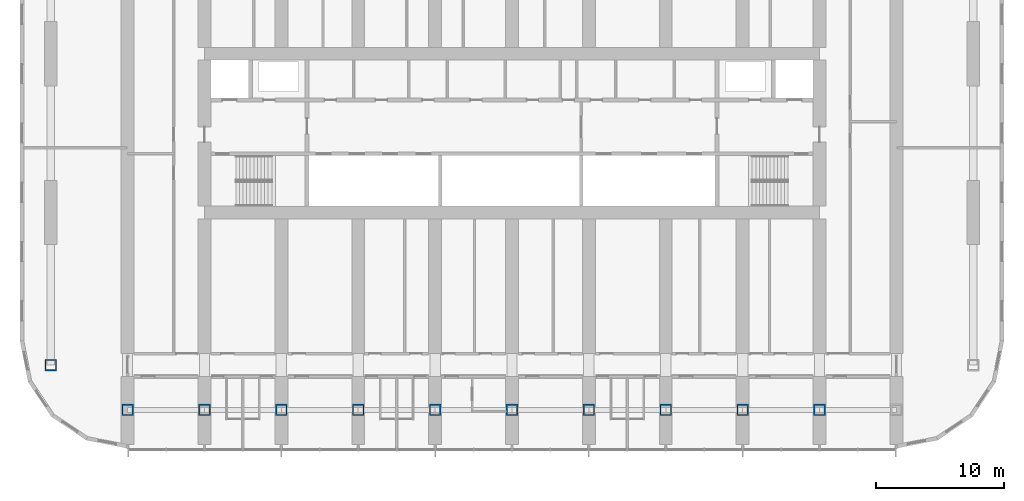
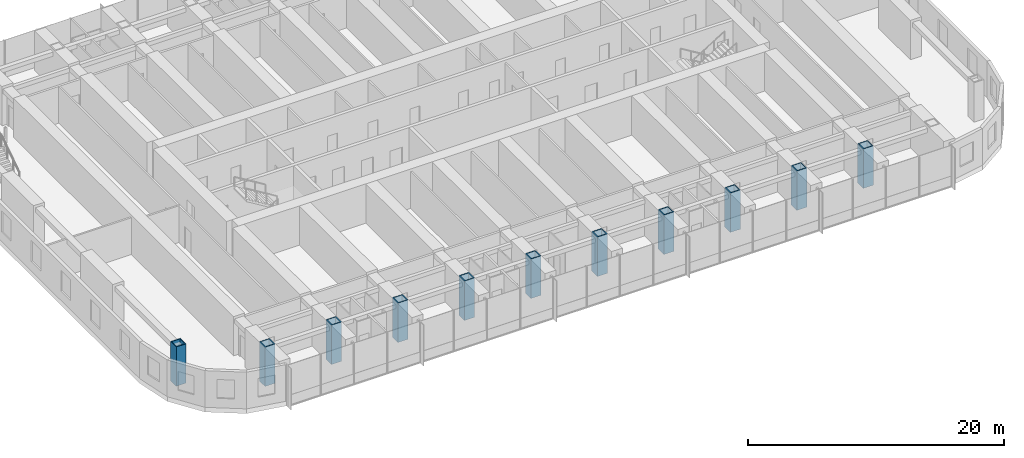
# One storey, part 1 of 26: 11 columns.
"""IFC4 building model written with IfcOpenShell, lengths in metres."""

from ifc_helpers import new_model, si_unit, direction, frame, origin, origin_2d, place, context, subcontext, project, spatial, hollow_rectangle, extrude, material, material_profile, profile_set, type_object, element, save


model = new_model("IFC4")

# Units and contexts
model_context = context("Model", 3, precision=1e-05, world=origin(), true_north=direction((0.0, 1.0)))
body_context = subcontext(model_context, "Body", "Model", "MODEL_VIEW")
ifc_project = project(units=[si_unit("LENGTHUNIT", "METRE"), si_unit("AREAUNIT", "SQUARE_METRE"), si_unit("VOLUMEUNIT", "CUBIC_METRE"), si_unit("PLANEANGLEUNIT", "RADIAN"), si_unit("MASSUNIT", "GRAM", prefix="KILO")], contexts=[model_context])

# Site, building, storey
site_placement = place(None, origin())
site = spatial("IfcSite", under=ifc_project, at=site_placement, CompositionType="ELEMENT")
building_placement = place(site_placement, origin())
building = spatial("IfcBuilding", under=site, at=building_placement, Name="Orbita Commons", CompositionType="ELEMENT")
storey_placement = place(building_placement, frame((0.0, 0.0, 53.949951171875)))
storey = spatial("IfcBuildingStorey", under=building, at=storey_placement, Name="L13", CompositionType="ELEMENT", Elevation=53.949951171875)

# Columns
ifc_material = material(Name="Steel ASTM A572 Gr 50 welded plate", Category="steel")
ifc_material_profile = material_profile(ifc_material, hollow_rectangle(XDim=0.89990234375, YDim=0.89990234375, WallThickness=0.090087890625, at=origin_2d()), Name="BOX 900x900x90")
ifc_profile_set = profile_set([ifc_material_profile], Name="Steel ASTM A572 Gr 50 welded plate")
column_type = type_object("IfcColumnType", Name="Steel column BOX 900x900x90", PredefinedType="COLUMN", material=ifc_profile_set)
for number, where, z_axis, x_axis, name in (
    (1, (12.0, 10.39990234375, 0.0), (0.0, 0.0, 1.0), (1.0, 0.0, 0.0), "Column 3/B L13"),
    (2, (18.0, 10.39990234375, 0.0), (0.0, 0.0, 1.0), (1.0, 0.0, 0.0), "Column 4/B L13"),
    (3, (24.0, 10.39990234375, 0.0), (0.0, 0.0, 1.0), (1.0, 0.0, 0.0), "Column 5/B L13"),
    (4, (30.0, 10.39990234375, 0.0), (0.0, 0.0, 1.0), (1.0, 0.0, 0.0), "Column 6/B L13"),
    (5, (36.0, 10.39990234375, 0.0), (0.0, 0.0, 1.0), (1.0, 0.0, 0.0), "Column 7/B L13"),
    (6, (42.0, 10.39990234375, 0.0), (0.0, 0.0, 1.0), (1.0, 0.0, 0.0), "Column 8/B L13"),
    (7, (48.0, 10.39990234375, 0.0), (0.0, 0.0, 1.0), (1.0, 0.0, 0.0), "Column 9/B L13"),
    (8, (54.0, 10.39990234375, 0.0), (0.0, 0.0, 1.0), (1.0, 0.0, 0.0), "Column 10/B L13"),
    (9, (60.0, 10.39990234375, 0.0), (0.0, 0.0, 1.0), (1.0, 0.0, 0.0), "Column 11/B L13"),
    (10, (66.0, 10.39990234375, 0.0), (0.0, 0.0, 1.0), (1.0, 0.0, 0.0), "Column 12/B L13"),
    (11, (6.0, 13.89990234375, 0.0), (0.0, 0.0, 1.0), (1.0, 0.0, 0.0), "Column 2/13.9 L13"),
):
    element("IfcColumn", number, at=place(storey_placement, frame(where, z_axis=z_axis, x_axis=x_axis)), inside=storey, type_object=column_type, Name=name, PredefinedType="COLUMN", context=body_context, shape_type="SweptSolid", body=[
        extrude(hollow_rectangle(XDim=0.89990234375, YDim=0.89990234375, WallThickness=0.090087890625, at=origin_2d()), origin(), (0.0, 0.0, 1.0), 3.75),
    ])

save(model, "model.ifc")
